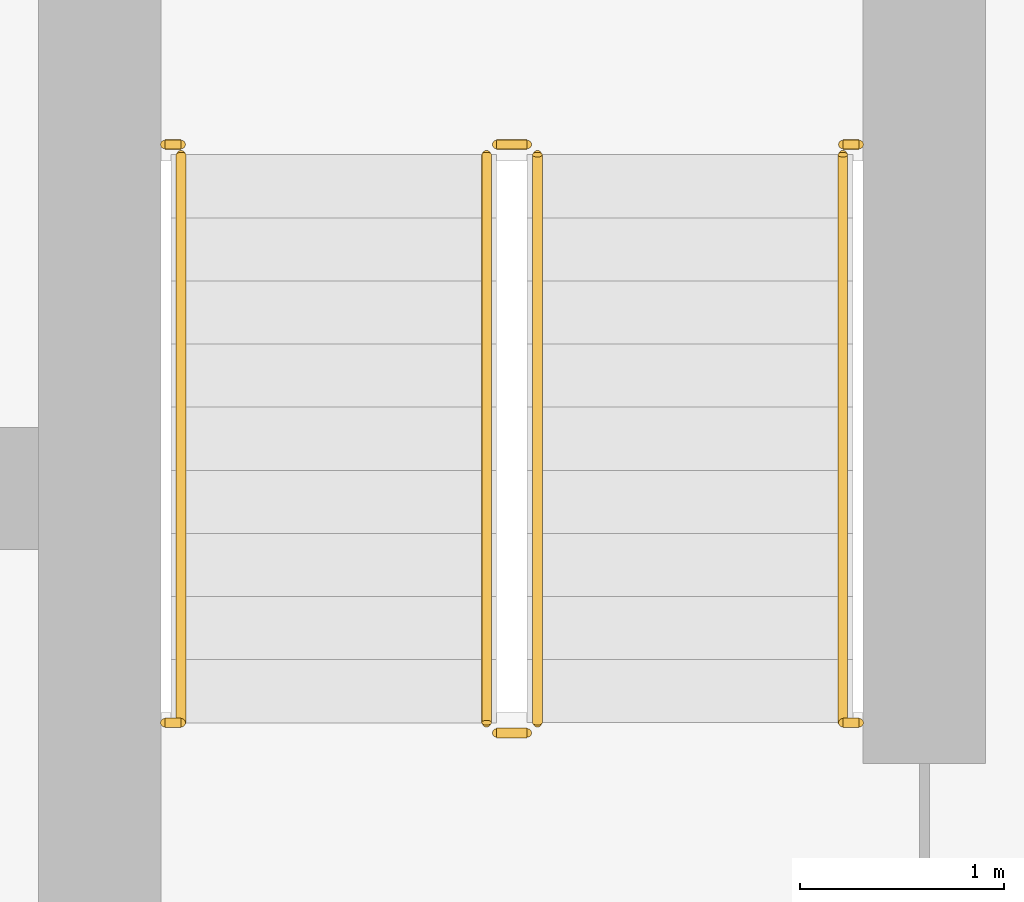
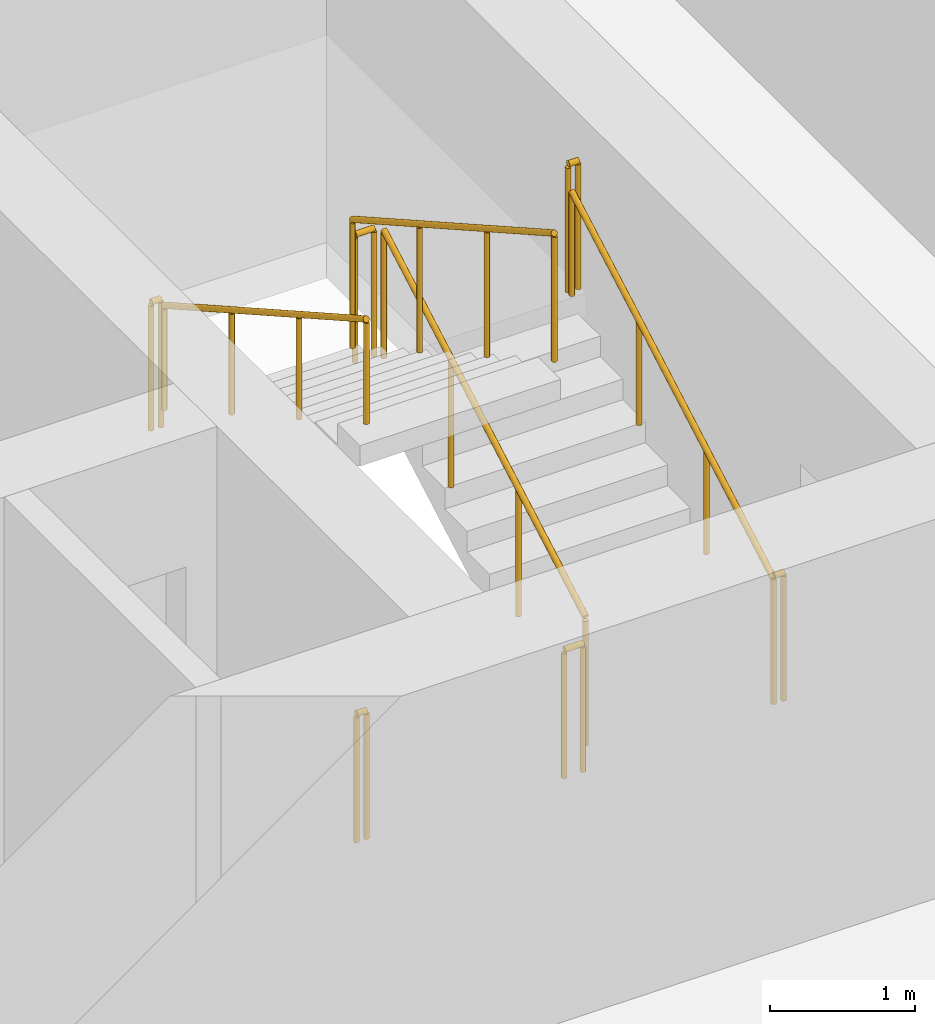
# One storey, part 20 of 22: 10 railings.
"""IFC4 building model written with IfcOpenShell, lengths in metres."""

from ifc_helpers import new_model, si_unit, direction, frame, origin, origin_2d, place, context, subcontext, project, spatial, circle, extrude, material, type_object, element, save


model = new_model("IFC4")

# Units and contexts
model_context = context("Model", 3, precision=1e-05, world=origin(), true_north=direction((0.0, 1.0)))
body_context = subcontext(model_context, "Body", "Model", "MODEL_VIEW")
ifc_project = project(units=[si_unit("LENGTHUNIT", "METRE"), si_unit("AREAUNIT", "SQUARE_METRE"), si_unit("VOLUMEUNIT", "CUBIC_METRE"), si_unit("PLANEANGLEUNIT", "RADIAN"), si_unit("MASSUNIT", "GRAM", prefix="KILO")], contexts=[model_context])

# Site, building, storey
site_placement = place(None, origin())
site = spatial("IfcSite", under=ifc_project, at=site_placement, CompositionType="ELEMENT")
building_placement = place(site_placement, origin())
building = spatial("IfcBuilding", under=site, at=building_placement, Name="Madar Terraces", CompositionType="ELEMENT")
storey_placement = place(building_placement, frame((0.0, 0.0, 149.0)))
storey = spatial("IfcBuildingStorey", under=building, at=storey_placement, Name="L38", CompositionType="ELEMENT", Elevation=149.0)

# Railings
ifc_material_1 = material(Name="Stainless steel railing", Category="steel")
railing_type_1 = type_object("IfcRailingType", Name="Stair guard 1100", PredefinedType="GUARDRAIL", material=ifc_material_1)
railing_1_placement = place(storey_placement, frame((41.449951171875, 17.60009765625, 0.175048828125)))
element("IfcRailing", 1, at=railing_1_placement, inside=storey, type_object=railing_type_1, Name="L38 ST3 stair guard 1", PredefinedType="GUARDRAIL", context=body_context, shape_type="SweptSolid", body=[
    extrude(circle(Radius=0.02392578125, at=origin_2d()), frame((0.0, 0.0, 1.076171875), z_axis=(0.0, 0.870815363784, 0.491610213684), x_axis=(-1.0, 0.0, 0.0)), (0.0, 0.0, 1.0), 3.20361328125),
    extrude(circle(Radius=0.02099609375, at=origin_2d()), origin(), (0.0, 0.0, 1.0), 1.052001953125),
    extrude(circle(Radius=0.02099609375, at=origin_2d()), frame((0.0, 0.929931640625, 0.52490234375)), (0.0, 0.0, 1.0), 1.052001953125),
    extrude(circle(Radius=0.02099609375, at=origin_2d()), frame((0.0, 1.85986328125, 1.050048828125)), (0.0, 0.0, 1.0), 1.052001953125),
    extrude(circle(Radius=0.02099609375, at=origin_2d()), frame((0.0, 2.789794921875, 1.574951171875)), (0.0, 0.0, 1.0), 1.052001953125),
])
railing_2_placement = place(storey_placement, frame((41.39990234375, 20.43994140625, 1.75)))
element("IfcRailing", 2, at=railing_2_placement, inside=storey, type_object=railing_type_1, Name="L38 ST3 stair guard 2", PredefinedType="GUARDRAIL", context=body_context, shape_type="SweptSolid", body=[
    extrude(circle(Radius=0.02392578125, at=origin_2d()), frame((0.0, 0.0, 1.076171875), z_axis=(-1.0, 0.0, 0.0), x_axis=(0.0, -1.0, 0.0)), (0.0, 0.0, 1.0), 0.14990234375),
    extrude(circle(Radius=0.02099609375, at=origin_2d()), origin(), (0.0, 0.0, 1.0), 1.052001953125),
    extrude(circle(Radius=0.02099609375, at=origin_2d()), frame((-0.14990234375, 0.0, 0.0)), (0.0, 0.0, 1.0), 1.052001953125),
])
railing_3_placement = place(storey_placement, frame((41.199951171875, 20.389892578125, 1.925048828125)))
element("IfcRailing", 3, at=railing_3_placement, inside=storey, type_object=railing_type_1, Name="L38 ST3 stair guard 3", PredefinedType="GUARDRAIL", context=body_context, shape_type="SweptSolid", body=[
    extrude(circle(Radius=0.02392578125, at=origin_2d()), frame((0.0, 0.0, 1.076171875), z_axis=(0.0, -0.870815363784, 0.491610213684), x_axis=(1.0, 0.0, 0.0)), (0.0, 0.0, 1.0), 3.20361328125),
    extrude(circle(Radius=0.02099609375, at=origin_2d()), origin(), (0.0, 0.0, 1.0), 1.052001953125),
    extrude(circle(Radius=0.02099609375, at=origin_2d()), frame((0.0, -0.929931640625, 0.52490234375)), (0.0, 0.0, 1.0), 1.052001953125),
    extrude(circle(Radius=0.02099609375, at=origin_2d()), frame((0.0, -1.85986328125, 1.050048828125)), (0.0, 0.0, 1.0), 1.052001953125),
    extrude(circle(Radius=0.02099609375, at=origin_2d()), frame((0.0, -2.789794921875, 1.574951171875)), (0.0, 0.0, 1.0), 1.052001953125),
])
railing_4_placement = place(storey_placement, frame((41.39990234375, 17.550048828125, 0.0)))
element("IfcRailing", 4, at=railing_4_placement, inside=storey, type_object=railing_type_1, Name="L38 ST3 stair guard 4", PredefinedType="GUARDRAIL", context=body_context, shape_type="SweptSolid", body=[
    extrude(circle(Radius=0.02392578125, at=origin_2d()), frame((0.0, 0.0, 1.076171875), z_axis=(-1.0, 0.0, 0.0), x_axis=(0.0, -1.0, 0.0)), (0.0, 0.0, 1.0), 0.14990234375),
    extrude(circle(Radius=0.02099609375, at=origin_2d()), origin(), (0.0, 0.0, 1.0), 1.052001953125),
    extrude(circle(Radius=0.02099609375, at=origin_2d()), frame((-0.14990234375, 0.0, 0.0)), (0.0, 0.0, 1.0), 1.052001953125),
])
railing_5_placement = place(storey_placement, frame((39.6201171875, 20.43994140625, 1.75)))
element("IfcRailing", 5, at=railing_5_placement, inside=storey, type_object=railing_type_1, Name="L38 stair guard seat 1", PredefinedType="GUARDRAIL", context=body_context, shape_type="SweptSolid", body=[
    extrude(circle(Radius=0.02392578125, at=origin_2d()), frame((0.0, 0.0, 1.076171875), z_axis=(1.0, 0.0, 0.0), x_axis=(0.0, 1.0, 0.0)), (0.0, 0.0, 1.0), 0.079833984375),
    extrude(circle(Radius=0.02099609375, at=origin_2d()), origin(), (0.0, 0.0, 1.0), 1.052001953125),
    extrude(circle(Radius=0.02099609375, at=origin_2d()), frame((0.079833984375, 0.0, 0.0)), (0.0, 0.0, 1.0), 1.052001953125),
])
railing_6_placement = place(storey_placement, frame((42.949951171875, 20.43994140625, 1.75)))
element("IfcRailing", 6, at=railing_6_placement, inside=storey, type_object=railing_type_1, Name="L38 stair guard seat 2", PredefinedType="GUARDRAIL", context=body_context, shape_type="SweptSolid", body=[
    extrude(circle(Radius=0.02392578125, at=origin_2d()), frame((0.0, 0.0, 1.076171875), z_axis=(1.0, 0.0, 0.0), x_axis=(0.0, 1.0, 0.0)), (0.0, 0.0, 1.0), 0.080078125),
    extrude(circle(Radius=0.02099609375, at=origin_2d()), origin(), (0.0, 0.0, 1.0), 1.052001953125),
    extrude(circle(Radius=0.02099609375, at=origin_2d()), frame((0.080078125, 0.0, 0.0)), (0.0, 0.0, 1.0), 1.052001953125),
])
railing_7_placement = place(storey_placement, frame((39.6201171875, 17.60009765625, 0.0)))
element("IfcRailing", 7, at=railing_7_placement, inside=storey, type_object=railing_type_1, Name="L38 stair guard floor 1", PredefinedType="GUARDRAIL", context=body_context, shape_type="SweptSolid", body=[
    extrude(circle(Radius=0.02392578125, at=origin_2d()), frame((0.0, 0.0, 1.076171875), z_axis=(1.0, 0.0, 0.0), x_axis=(0.0, 1.0, 0.0)), (0.0, 0.0, 1.0), 0.079833984375),
    extrude(circle(Radius=0.02099609375, at=origin_2d()), origin(), (0.0, 0.0, 1.0), 1.052001953125),
    extrude(circle(Radius=0.02099609375, at=origin_2d()), frame((0.079833984375, 0.0, 0.0)), (0.0, 0.0, 1.0), 1.052001953125),
])
railing_8_placement = place(storey_placement, frame((42.949951171875, 17.60009765625, 0.0)))
element("IfcRailing", 8, at=railing_8_placement, inside=storey, type_object=railing_type_1, Name="L38 stair guard floor 2", PredefinedType="GUARDRAIL", context=body_context, shape_type="SweptSolid", body=[
    extrude(circle(Radius=0.02392578125, at=origin_2d()), frame((0.0, 0.0, 1.076171875), z_axis=(1.0, 0.0, 0.0), x_axis=(0.0, 1.0, 0.0)), (0.0, 0.0, 1.0), 0.080078125),
    extrude(circle(Radius=0.02099609375, at=origin_2d()), origin(), (0.0, 0.0, 1.0), 1.052001953125),
    extrude(circle(Radius=0.02099609375, at=origin_2d()), frame((0.080078125, 0.0, 0.0)), (0.0, 0.0, 1.0), 1.052001953125),
])
ifc_material_2 = material(Name="Stainless steel railing", Category="steel")
railing_type_2 = type_object("IfcRailingType", Name="Stair handrail 900", PredefinedType="HANDRAIL", material=ifc_material_2)
railing_9_placement = place(storey_placement, frame((42.949951171875, 17.60009765625, 0.175048828125)))
element("IfcRailing", 9, at=railing_9_placement, inside=storey, type_object=railing_type_2, Name="L38 ST3 stair handrail 1", PredefinedType="HANDRAIL", context=body_context, shape_type="SweptSolid", body=[
    extrude(circle(Radius=0.02392578125, at=origin_2d()), frame((0.0, 0.0, 0.8759765625), z_axis=(0.0, 0.870815363784, 0.491610213684), x_axis=(-1.0, 0.0, 0.0)), (0.0, 0.0, 1.0), 3.20361328125),
    extrude(circle(Radius=0.02099609375, at=origin_2d()), origin(), (0.0, 0.0, 1.0), 0.851806640625),
    extrude(circle(Radius=0.02099609375, at=origin_2d()), frame((0.0, 0.929931640625, 0.52490234375)), (0.0, 0.0, 1.0), 0.851806640625),
    extrude(circle(Radius=0.02099609375, at=origin_2d()), frame((0.0, 1.85986328125, 1.050048828125)), (0.0, 0.0, 1.0), 0.851806640625),
    extrude(circle(Radius=0.02099609375, at=origin_2d()), frame((0.0, 2.789794921875, 1.574951171875)), (0.0, 0.0, 1.0), 0.851806640625),
])
railing_10_placement = place(storey_placement, frame((39.699951171875, 20.389892578125, 1.925048828125)))
element("IfcRailing", 10, at=railing_10_placement, inside=storey, type_object=railing_type_2, Name="L38 ST3 stair handrail 2", PredefinedType="HANDRAIL", context=body_context, shape_type="SweptSolid", body=[
    extrude(circle(Radius=0.02392578125, at=origin_2d()), frame((0.0, 0.0, 0.8759765625), z_axis=(0.0, -0.870815363784, 0.491610213684), x_axis=(1.0, 0.0, 0.0)), (0.0, 0.0, 1.0), 3.20361328125),
    extrude(circle(Radius=0.02099609375, at=origin_2d()), origin(), (0.0, 0.0, 1.0), 0.851806640625),
    extrude(circle(Radius=0.02099609375, at=origin_2d()), frame((0.0, -0.929931640625, 0.52490234375)), (0.0, 0.0, 1.0), 0.851806640625),
    extrude(circle(Radius=0.02099609375, at=origin_2d()), frame((0.0, -1.85986328125, 1.050048828125)), (0.0, 0.0, 1.0), 0.851806640625),
    extrude(circle(Radius=0.02099609375, at=origin_2d()), frame((0.0, -2.789794921875, 1.574951171875)), (0.0, 0.0, 1.0), 0.851806640625),
])

save(model, "model.ifc")
